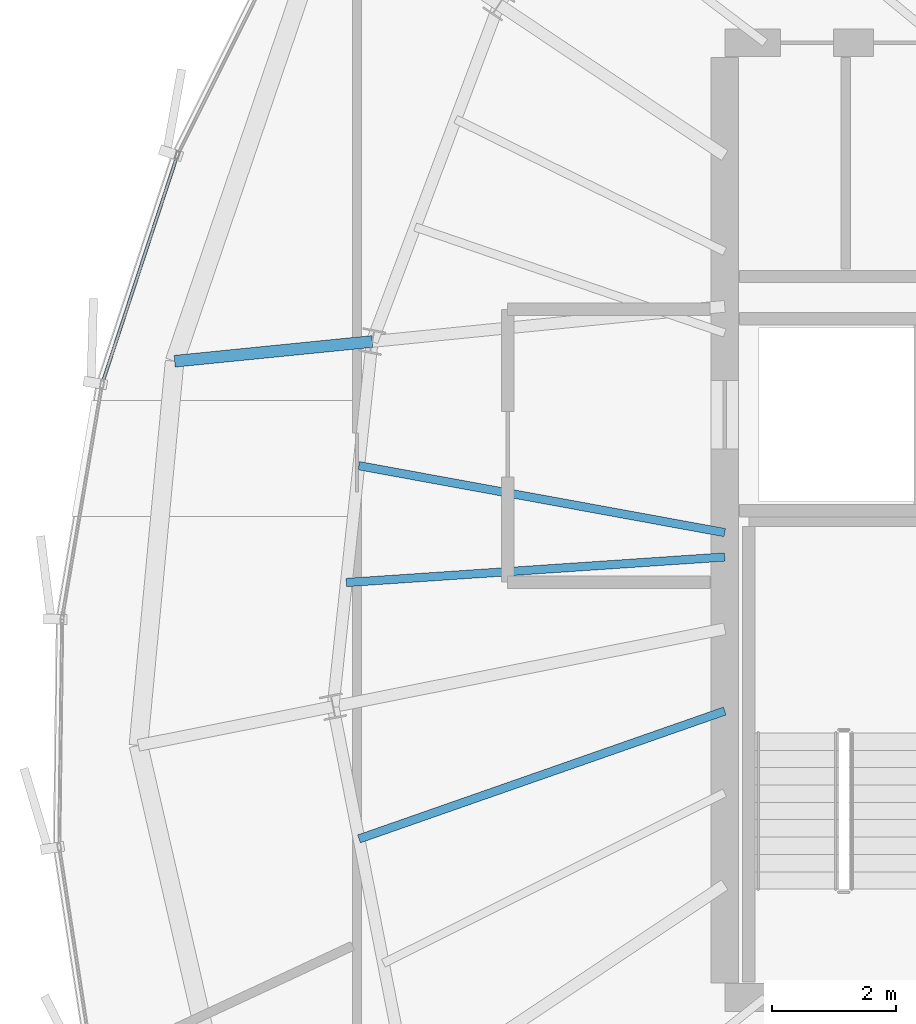
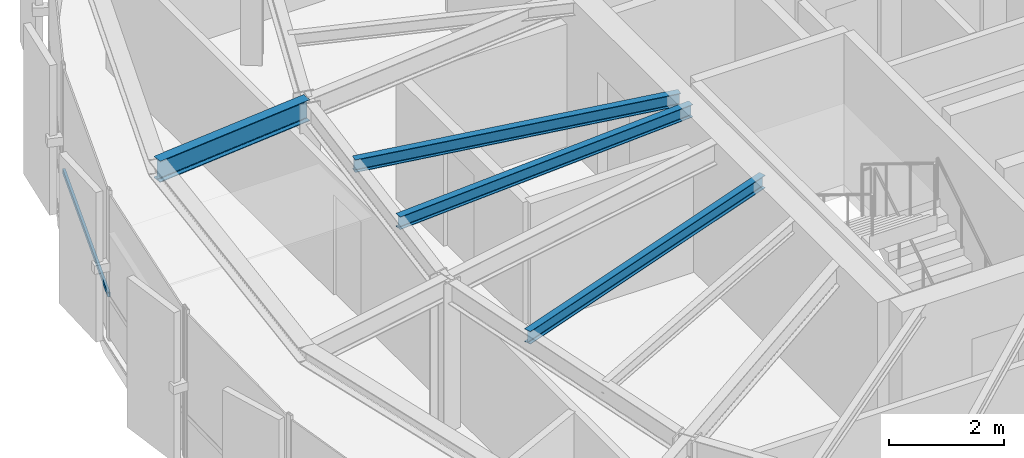
# One storey, part 11 of 32: 4 beams, 1 member, 1 element without a shape of its own.
"""IFC4 building model written with IfcOpenShell, lengths in metres."""

from ifc_helpers import new_model, si_unit, direction, frame, origin, origin_2d, place, context, subcontext, project, spatial, hollow_rectangle, i_section, extrude, source, transform, mapped, material, layer, layer_set, material_profile, profile_set, type_object, element, aggregate, save


model = new_model("IFC4")

# Units and contexts
model_context = context("Model", 3, precision=1e-05, world=origin(), true_north=direction((0.0, 1.0)))
body_context = subcontext(model_context, "Body", "Model", "MODEL_VIEW")
ifc_project = project(units=[si_unit("LENGTHUNIT", "METRE"), si_unit("AREAUNIT", "SQUARE_METRE"), si_unit("VOLUMEUNIT", "CUBIC_METRE"), si_unit("PLANEANGLEUNIT", "RADIAN"), si_unit("MASSUNIT", "GRAM", prefix="KILO"), si_unit("THERMODYNAMICTEMPERATUREUNIT", "KELVIN")], contexts=[model_context])

# Site, building, storey
site_placement = place(None, origin())
site = spatial("IfcSite", under=ifc_project, at=site_placement, CompositionType="ELEMENT")
building_placement = place(site_placement, origin())
building = spatial("IfcBuilding", under=site, at=building_placement, Name="Kethvar Cultural Tower", CompositionType="ELEMENT")
storey_placement = place(building_placement, frame((0.0, 0.0, 273.25)))
storey = spatial("IfcBuildingStorey", under=building, at=storey_placement, Name="L72", CompositionType="ELEMENT", Elevation=273.25)

# Beams
ifc_material_1 = material(Name="Steel S355J2", Category="steel")
ifc_material_profile_1 = material_profile(ifc_material_1, i_section(OverallWidth=0.18994140625, OverallDepth=0.449951171875, WebThickness=0.009521484375, FlangeThickness=0.0146484375, FilletRadius=0.02099609375, at=origin_2d()), Name="Steel S355J2 — IPE450")
ifc_profile_set_1 = profile_set([ifc_material_profile_1], Name="Steel S355J2 — IPE450")
beam_type_1 = type_object("IfcBeamType", Name="BM-IPE450", PredefinedType="BEAM", material=ifc_profile_set_1)
shared_shape_1 = source(origin(), body_context, "Body", "SweptSolid", [
    extrude(i_section(OverallWidth=0.18994140625, OverallDepth=0.449951171875, WebThickness=0.009521484375, FlangeThickness=0.0146484375, FilletRadius=0.02099609375, at=origin_2d()), origin(), (0.0, 0.0, 1.0), 3.2001953125),
])
beam_1_placement = place(storey_placement, frame((32.3125, 30.681884765625, 2.98291015625), z_axis=(-0.995047004836, -0.099405523829, 0.0), x_axis=(0.099405523829, -0.995047004836, 0.0)))
element("IfcBeam", 1, at=beam_1_placement, inside=storey, type_object=beam_type_1, Name="L72 Perimeter Cantilever Beam RC-08", PredefinedType="BEAM", context=body_context, shape_type="MappedRepresentation", body=[
    mapped(shared_shape_1, transform((0.0, 0.0, 0.0), scale=1.0)),
])
ifc_material_profile_2 = material_profile(ifc_material_1, i_section(OverallWidth=0.135009765625, OverallDepth=0.27001953125, WebThickness=0.006591796875, FlangeThickness=0.01025390625, FilletRadius=0.014892578125, at=origin_2d()), Name="Steel S355J2 — IPE270")
ifc_profile_set_2 = profile_set([ifc_material_profile_2], Name="Steel S355J2 — IPE270")
beam_type_2 = type_object("IfcBeamType", Name="BM-J270", PredefinedType="JOIST", material=ifc_profile_set_2)
shared_shape_2 = source(origin(), body_context, "Body", "SweptSolid", [
    extrude(i_section(OverallWidth=0.135009765625, OverallDepth=0.27001953125, WebThickness=0.006591796875, FlangeThickness=0.01025390625, FilletRadius=0.014892578125, at=origin_2d()), origin(), (0.0, 0.0, 1.0), 5.99951171875),
])
beam_2_placement = place(storey_placement, frame((38.0, 27.60009765625, 3.072998046875), z_axis=(-0.983676616141, 0.179945310742, 0.0), x_axis=(-0.179945310742, -0.983676616141, 0.0)))
element("IfcBeam", 2, at=beam_2_placement, inside=storey, type_object=beam_type_2, Name="L72 Composite Floor Joist J-08A", PredefinedType="JOIST", context=body_context, shape_type="MappedRepresentation", body=[
    mapped(shared_shape_2, transform((0.0, 0.0, 0.0), scale=1.0)),
])
shared_shape_3 = source(origin(), body_context, "Body", "SweptSolid", [
    extrude(i_section(OverallWidth=0.135009765625, OverallDepth=0.27001953125, WebThickness=0.006591796875, FlangeThickness=0.01025390625, FilletRadius=0.014892578125, at=origin_2d()), origin(), (0.0, 0.0, 1.0), 6.116943359375),
])
beam_3_placement = place(storey_placement, frame((38.0, 27.206787109375, 3.072998046875), z_axis=(-0.997733289627, -0.067292516454, 0.0), x_axis=(0.067292516454, -0.997733289627, 0.0)))
element("IfcBeam", 3, at=beam_3_placement, inside=storey, type_object=beam_type_2, Name="L72 Composite Floor Joist J-08B", PredefinedType="JOIST", context=body_context, shape_type="MappedRepresentation", body=[
    mapped(shared_shape_3, transform((0.0, 0.0, 0.0), scale=1.0)),
])
shared_shape_4 = source(origin(), body_context, "Body", "SweptSolid", [
    extrude(i_section(OverallWidth=0.135009765625, OverallDepth=0.27001953125, WebThickness=0.006591796875, FlangeThickness=0.01025390625, FilletRadius=0.014892578125, at=origin_2d()), origin(), (0.0, 0.0, 1.0), 6.248779296875),
])
beam_4_placement = place(storey_placement, frame((38.0, 24.722900390625, 3.072998046875), z_axis=(-0.943960031743, -0.330059780148, 0.0), x_axis=(0.330059780148, -0.943960031743, 0.0)))
element("IfcBeam", 4, at=beam_4_placement, inside=storey, type_object=beam_type_2, Name="L72 Composite Floor Joist J-09A", PredefinedType="JOIST", context=body_context, shape_type="MappedRepresentation", body=[
    mapped(shared_shape_4, transform((0.0, 0.0, 0.0), scale=1.0)),
])

# Curtain wall, member
ifc_material_2 = material(Name="Aluminium 6063-T6", Category="aluminium")
ifc_layer = layer(ifc_material_2, 0.179931640625, Name="Aluminium 6063-T6", Category="aluminium")
ifc_layer_set = layer_set([ifc_layer], Name="Aluminium 6063-T6 (180 mm)")
curtain_wall_type = type_object("IfcCurtainWallType", Name="CW-SYS-05-Z56", PredefinedType="NOTDEFINED", material=ifc_layer_set)
curtain_wall_placement = place(storey_placement, origin())
curtain_wall = element("IfcCurtainWall", 5, at=curtain_wall_placement, inside=storey, type_object=curtain_wall_type, Name="L72 Curtain Wall Run 02", PredefinedType="NOTDEFINED")
ifc_material_profile_3 = material_profile(ifc_material_2, hollow_rectangle(XDim=0.050048828125, YDim=0.10009765625, WallThickness=0.00390625, at=origin_2d()), Name="Aluminium 6063-T6 — RHS100x50x4")
ifc_profile_set_3 = profile_set([ifc_material_profile_3], Name="Aluminium 6063-T6 — RHS100x50x4")
member_type = type_object("IfcMemberType", Name="CW-SYS-05-Z56-TRN", PredefinedType="USERDEFINED", material=ifc_profile_set_3)
shared_shape_5 = source(origin(), body_context, "Body", "SweptSolid", [
    extrude(hollow_rectangle(XDim=0.050048828125, YDim=0.10009765625, WallThickness=0.00390625, at=origin_2d()), origin(), (0.0, 0.0, 1.0), 3.8212890625),
])
member_placement = place(storey_placement, frame((29.159912109375, 33.647705078125, 0.949951171875), z_axis=(-0.312487726044, -0.949921797345, 0.0), x_axis=(0.949921797345, -0.312487726044, 0.0)))
member = element("IfcMember", 6, at=member_placement, type_object=member_type, Name="CW-L72-R02 Transom 5", ObjectType="TRANSOM", PredefinedType="USERDEFINED", context=body_context, shape_type="MappedRepresentation", body=[
    mapped(shared_shape_5, transform((0.0, 0.0, 0.0), scale=1.0)),
])
aggregate(curtain_wall, [member])

save(model, "model.ifc")
